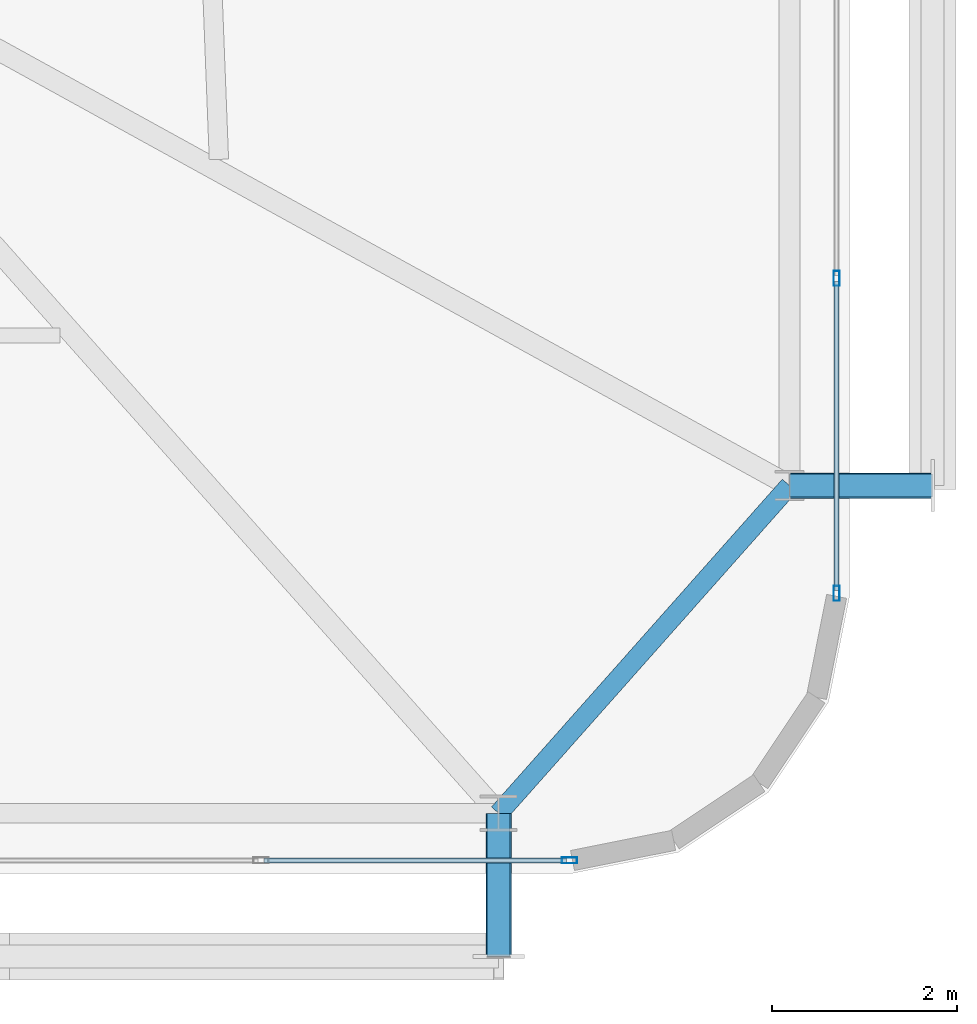
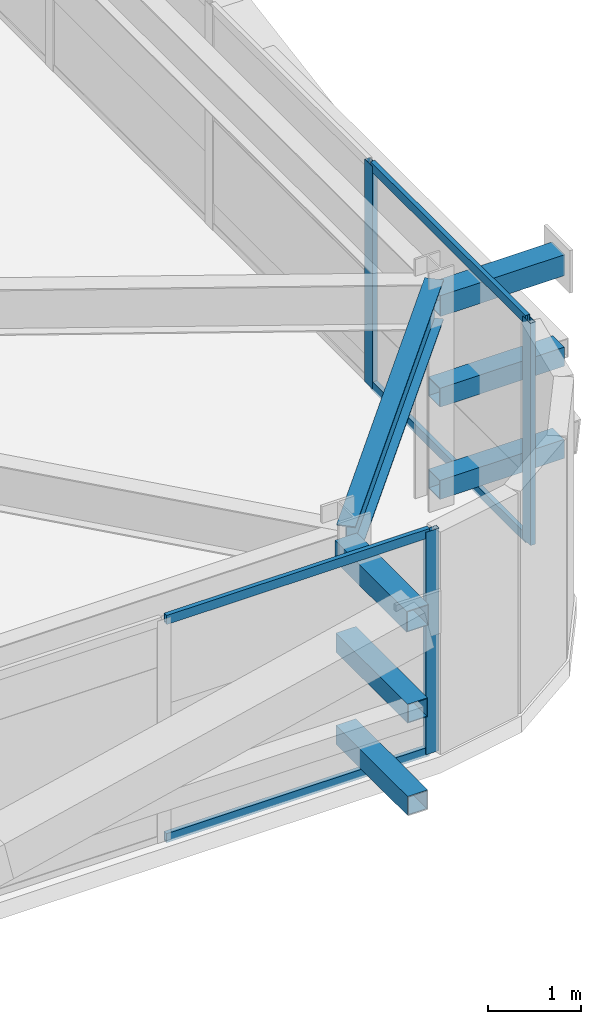
# One storey, part 24 of 58: 13 members, 1 beam, 2 elements without a shape of their own.
"""IFC4 building model written with IfcOpenShell, lengths in metres."""

from ifc_helpers import new_model, si_unit, direction, frame, origin, origin_2d, place, context, subcontext, project, spatial, hollow_rectangle, i_section, extrude, source, transform, mapped, material, layer, layer_set, material_profile, profile_set, type_object, element, aggregate, save


model = new_model("IFC4")

# Units and contexts
model_context = context("Model", 3, precision=1e-05, world=origin(), true_north=direction((0.0, 1.0)))
body_context = subcontext(model_context, "Body", "Model", "MODEL_VIEW")
ifc_project = project(units=[si_unit("LENGTHUNIT", "METRE"), si_unit("AREAUNIT", "SQUARE_METRE"), si_unit("VOLUMEUNIT", "CUBIC_METRE"), si_unit("PLANEANGLEUNIT", "RADIAN"), si_unit("MASSUNIT", "GRAM", prefix="KILO")], contexts=[model_context])

# Site, building, storey
site_placement = place(None, origin())
site = spatial("IfcSite", under=ifc_project, at=site_placement, CompositionType="ELEMENT")
building_placement = place(site_placement, origin())
building = spatial("IfcBuilding", under=site, at=building_placement, Name="Taldren Reach Tower", CompositionType="ELEMENT")
storey_placement = place(building_placement, frame((0.0, 0.0, 35.699951171875)))
storey = spatial("IfcBuildingStorey", under=building, at=storey_placement, Name="L10", CompositionType="ELEMENT", Elevation=35.699951171875)

# Beam
ifc_material_1 = material(Name="Steel Gr 350 (350PLUS)", Category="steel")
ifc_material_profile_1 = material_profile(ifc_material_1, i_section(OverallWidth=0.208984375, OverallDepth=0.528076171875, WebThickness=0.009521484375, FlangeThickness=0.01318359375, at=origin_2d()), Name="530UB82.0")
ifc_profile_set_1 = profile_set([ifc_material_profile_1], Name="Steel Gr 350 (350PLUS)")
beam_type = type_object("IfcBeamType", Name="SP-UB530B", PredefinedType="SPANDREL", material=ifc_profile_set_1)
shared_shape_1 = source(origin(), body_context, "Body", "SweptSolid", [
    extrude(i_section(OverallWidth=0.208984375, OverallDepth=0.528076171875, WebThickness=0.009521484375, FlangeThickness=0.01318359375, at=origin_2d()), origin(), (0.0, 0.0, 1.0), 4.74609375),
])
beam_placement = place(storey_placement, frame((61.199951171875, 2.14990234375, 2.666015625), z_axis=(0.663721843779, 0.747979487747, 0.0), x_axis=(-0.747979487747, 0.663721843779, 0.0)))
element("IfcBeam", 1, at=beam_placement, inside=storey, type_object=beam_type, Name="Perimeter spandrel B1 S6-E1 L10", PredefinedType="SPANDREL", context=body_context, shape_type="MappedRepresentation", body=[
    mapped(shared_shape_1, transform((0.0, 0.0, 0.0), scale=1.0)),
])

# Members
ifc_material_2 = material(Name="Steel Gr 450 (C450L0)", Category="steel")
ifc_material_profile_2 = material_profile(ifc_material_2, hollow_rectangle(XDim=0.27490234375, YDim=0.27490234375, WallThickness=0.00927734375, at=origin_2d()), Name="275x275x9.3SHS")
ifc_profile_set_2 = profile_set([ifc_material_profile_2], Name="Steel Gr 450 (C450L0)")
member_type_1 = type_object("IfcMemberType", Name="MB-TIE273", PredefinedType="STRUT", material=ifc_profile_set_2)
shared_shape_2 = source(origin(), body_context, "Body", "SweptSolid", [
    extrude(hollow_rectangle(XDim=0.27490234375, YDim=0.27490234375, WallThickness=0.00927734375, at=origin_2d()), origin(), (0.0, 0.0, 1.0), 1.5498046875),
])
for number, where, z_axis, x_axis, name in (
    (2, (61.199951171875, 2.14990234375, 2.650146484375), (0.0, -1.0, 0.0), (1.0, 0.0, 0.0), "Exoskeleton diaphragm tie strut B1-S6 L10"),
    (3, (64.35009765625, 5.699951171875, 2.650146484375), (1.0, 0.0, 0.0), (0.0, 1.0, 0.0), "Exoskeleton diaphragm tie strut B1-E1 L10"),
):
    element("IfcMember", number, at=place(storey_placement, frame(where, z_axis=z_axis, x_axis=x_axis)), inside=storey, type_object=member_type_1, Name=name, PredefinedType="STRUT", context=body_context, shape_type="MappedRepresentation", body=[
        mapped(shared_shape_2, transform((0.0, 0.0, 0.0), scale=1.0)),
    ])
ifc_material_3 = material(Name="Steel Gr 350 (C350L0)", Category="steel")
ifc_material_profile_3 = material_profile(ifc_material_3, hollow_rectangle(XDim=0.25, YDim=0.25, WallThickness=0.010009765625, at=origin_2d()), Name="250x250x10.0SHS")
ifc_profile_set_3 = profile_set([ifc_material_profile_3], Name="Steel Gr 350 (C350L0)")
member_type_2 = type_object("IfcMemberType", Name="MB-POST250", PredefinedType="POST", material=ifc_profile_set_3)
shared_shape_3 = source(origin(), body_context, "Body", "SweptSolid", [
    extrude(hollow_rectangle(XDim=0.25, YDim=0.25, WallThickness=0.010009765625, at=origin_2d()), origin(), (0.0, 0.0, 1.0), 1.5498046875),
])
for number, where, z_axis, x_axis, name in (
    (4, (61.199951171875, 2.14990234375, 0.219970703125), (0.0, -1.0, 0.0), (1.0, 0.0, 0.0), "Exoskeleton base diaphragm tie strut B1-S6 L10"),
    (5, (64.35009765625, 5.699951171875, 0.219970703125), (1.0, 0.0, 0.0), (0.0, 1.0, 0.0), "Exoskeleton base diaphragm tie strut B1-E1 L10"),
    (6, (61.199951171875, 2.14990234375, 1.43505859375), (0.0, -1.0, 0.0), (1.0, 0.0, 0.0), "Exoskeleton mid-tier diaphragm tie B1-S6 L10"),
    (7, (64.35009765625, 5.699951171875, 1.43505859375), (1.0, 0.0, 0.0), (0.0, 1.0, 0.0), "Exoskeleton mid-tier diaphragm tie B1-E1 L10"),
):
    element("IfcMember", number, at=place(storey_placement, frame(where, z_axis=z_axis, x_axis=x_axis)), inside=storey, type_object=member_type_2, Name=name, PredefinedType="POST", context=body_context, shape_type="MappedRepresentation", body=[
        mapped(shared_shape_3, transform((0.0, 0.0, 0.0), scale=1.0)),
    ])

# Curtain wall, member
ifc_material_4 = material(Name="Aluminium and Low-E Glass Unitised System", Category="aluminium")
ifc_layer = layer(ifc_material_4, 0.159912109375)
ifc_layer_set = layer_set([ifc_layer], Name="Aluminium and Low-E Glass Unitised System")
curtain_wall_type = type_object("IfcCurtainWallType", Name="CW-SYS-2", PredefinedType="NOTDEFINED", material=ifc_layer_set)
curtain_wall_1_placement = place(storey_placement, origin())
curtain_wall_1 = element("IfcCurtainWall", 8, at=curtain_wall_1_placement, inside=storey, type_object=curtain_wall_type, Name="Unitised curtain wall CW-L10-S", PredefinedType="NOTDEFINED")
ifc_material_5 = material(Name="Anodised Aluminium 6063-T6", Category="aluminium")
ifc_material_profile_4 = material_profile(ifc_material_5, hollow_rectangle(XDim=0.06494140625, YDim=0.1650390625, WallThickness=0.00390625, at=origin_2d()), Name="ALU-165x65x4RHS")
ifc_profile_set_4 = profile_set([ifc_material_profile_4], Name="Anodised Aluminium 6063-T6")
member_type_3 = type_object("IfcMemberType", Name="CW-MUL-165", PredefinedType="MULLION", material=ifc_profile_set_4)
shared_shape_4 = source(origin(), body_context, "Body", "SweptSolid", [
    extrude(hollow_rectangle(XDim=0.06494140625, YDim=0.1650390625, WallThickness=0.00390625, at=origin_2d()), origin(), (0.0, 0.0, 1.0), 2.929931640625),
])
member_1_placement = place(storey_placement, frame((61.967529296875, 1.639892578125, 0.0), z_axis=(0.0, 0.0, 1.0), x_axis=(0.0, 1.0, 0.0)))
member_1 = element("IfcMember", 9, at=member_1_placement, type_object=member_type_3, Name="CW-2 mullion 17", PredefinedType="MULLION", context=body_context, shape_type="MappedRepresentation", body=[
    mapped(shared_shape_4, transform((0.0, 0.0, 0.0), scale=1.0)),
])

# Curtain wall, members
curtain_wall_2_placement = place(storey_placement, origin())
curtain_wall_2 = element("IfcCurtainWall", 10, at=curtain_wall_2_placement, inside=storey, type_object=curtain_wall_type, Name="Unitised curtain wall CW-L10-E", PredefinedType="NOTDEFINED")
member_2_placement = place(storey_placement, frame((64.860107421875, 4.532470703125, 0.0), z_axis=(0.0, 0.0, 1.0), x_axis=(-1.0, 0.0, 0.0)))
member_2 = element("IfcMember", 11, at=member_2_placement, type_object=member_type_3, Name="CW-2 mullion 1", PredefinedType="MULLION", context=body_context, shape_type="MappedRepresentation", body=[
    mapped(shared_shape_4, transform((0.0, 0.0, 0.0), scale=1.0)),
])
member_3_placement = place(storey_placement, frame((64.860107421875, 7.9443359375, 0.0), z_axis=(0.0, 0.0, 1.0), x_axis=(-1.0, 0.0, 0.0)))
member_3 = element("IfcMember", 12, at=member_3_placement, type_object=member_type_3, Name="CW-2 mullion 2", PredefinedType="MULLION", context=body_context, shape_type="MappedRepresentation", body=[
    mapped(shared_shape_4, transform((0.0, 0.0, 0.0), scale=1.0)),
])

# Member
ifc_material_profile_5 = material_profile(ifc_material_5, hollow_rectangle(XDim=0.054931640625, YDim=0.1201171875, WallThickness=0.0029296875, at=origin_2d()), Name="ALU-120x55x3RHS")
ifc_profile_set_5 = profile_set([ifc_material_profile_5], Name="Anodised Aluminium 6063-T6")
member_type_4 = type_object("IfcMemberType", Name="CW-TRN-135", PredefinedType="USERDEFINED", material=ifc_profile_set_5)
shared_shape_5 = source(origin(), body_context, "Body", "SweptSolid", [
    extrude(hollow_rectangle(XDim=0.054931640625, YDim=0.1201171875, WallThickness=0.0029296875, at=origin_2d()), origin(), (0.0, 0.0, 1.0), 3.277587890625),
])
member_4_placement = place(storey_placement, frame((58.657470703125, 1.639892578125, 0.027587890625), z_axis=(1.0, 0.0, 0.0), x_axis=(0.0, 1.0, 0.0)))
member_4 = element("IfcMember", 13, at=member_4_placement, type_object=member_type_4, Name="CW-2 transom 16.1", ObjectType="TRANSOM", PredefinedType="USERDEFINED", context=body_context, shape_type="MappedRepresentation", body=[
    mapped(shared_shape_5, transform((0.0, 0.0, 0.0), scale=1.0)),
])

member_5_placement = place(storey_placement, frame((58.657470703125, 1.639892578125, 2.902587890625), z_axis=(1.0, 0.0, 0.0), x_axis=(0.0, 1.0, 0.0)))
member_5 = element("IfcMember", 14, at=member_5_placement, type_object=member_type_4, Name="CW-2 transom 16.2", ObjectType="TRANSOM", PredefinedType="USERDEFINED", context=body_context, shape_type="MappedRepresentation", body=[
    mapped(shared_shape_5, transform((0.0, 0.0, 0.0), scale=1.0)),
])

aggregate(curtain_wall_1, [member_1, member_4, member_5])

shared_shape_6 = source(origin(), body_context, "Body", "SweptSolid", [
    extrude(hollow_rectangle(XDim=0.054931640625, YDim=0.1201171875, WallThickness=0.0029296875, at=origin_2d()), origin(), (0.0, 0.0, 1.0), 3.346923828125),
])
member_6_placement = place(storey_placement, frame((64.860107421875, 4.56494140625, 0.027587890625), z_axis=(0.0, 1.0, 0.0), x_axis=(-1.0, 0.0, 0.0)))
member_6 = element("IfcMember", 15, at=member_6_placement, type_object=member_type_4, Name="CW-2 transom 1.1", ObjectType="TRANSOM", PredefinedType="USERDEFINED", context=body_context, shape_type="MappedRepresentation", body=[
    mapped(shared_shape_6, transform((0.0, 0.0, 0.0), scale=1.0)),
])

member_7_placement = place(storey_placement, frame((64.860107421875, 4.56494140625, 2.902587890625), z_axis=(0.0, 1.0, 0.0), x_axis=(-1.0, 0.0, 0.0)))
member_7 = element("IfcMember", 16, at=member_7_placement, type_object=member_type_4, Name="CW-2 transom 1.2", ObjectType="TRANSOM", PredefinedType="USERDEFINED", context=body_context, shape_type="MappedRepresentation", body=[
    mapped(shared_shape_6, transform((0.0, 0.0, 0.0), scale=1.0)),
])

aggregate(curtain_wall_2, [member_2, member_3, member_6, member_7])

save(model, "model.ifc")
